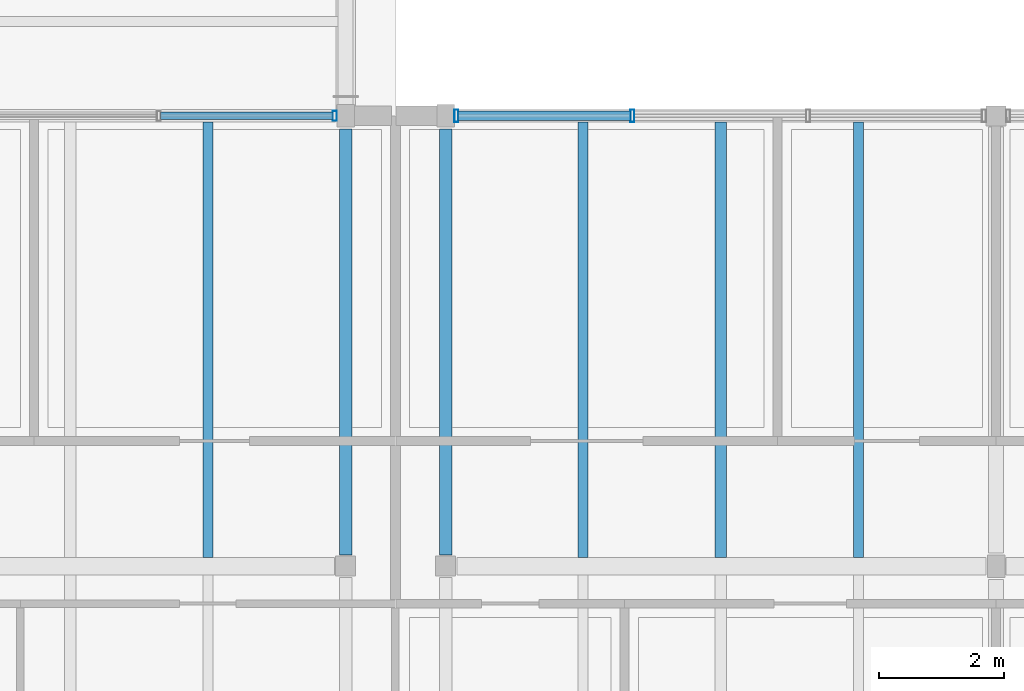
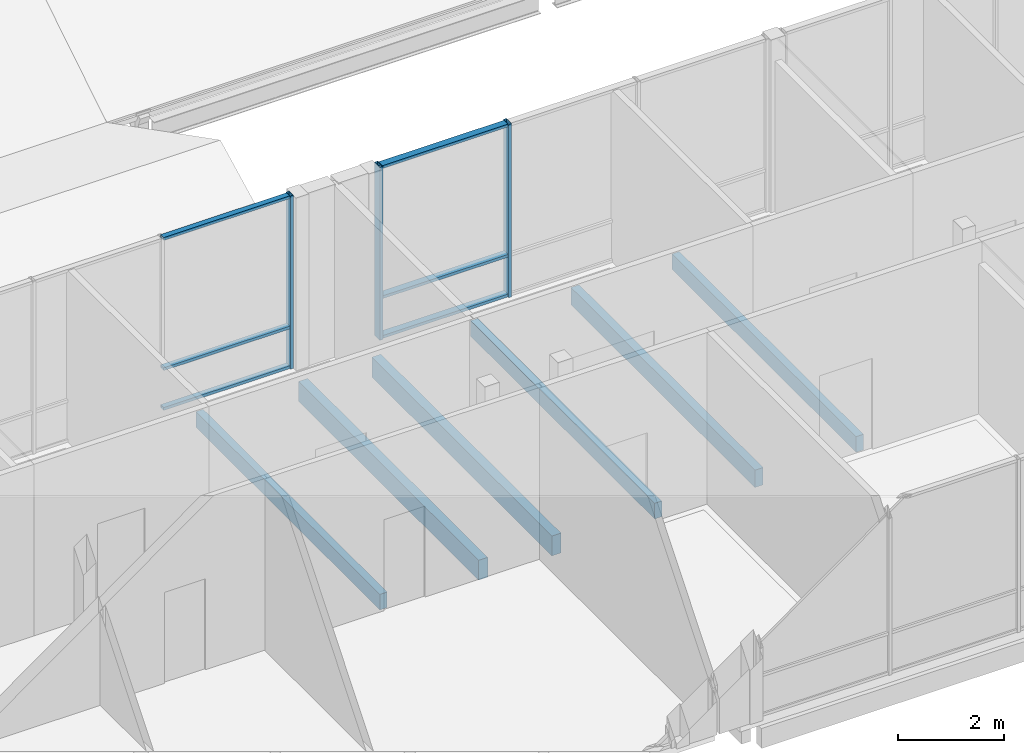
# One storey, part 34 of 115: 9 members, 6 beams, 2 elements without a shape of their own.
"""IFC4 building model written with IfcOpenShell, lengths in metres."""

import ifcopenshell
import ifcopenshell.guid

model = None  # the IFC model being written
_history = None  # IfcOwnerHistory: only IFC2X3 demands one
_inside = {}  # id of a spatial element -> (the spatial element, [elements in it])
_under = {}  # id of a project, library or spatial element -> (it, [spatial elements below it])
_declared = {}  # id of a project -> (the project, [libraries it declares])
_typed = {}  # id of a type object -> (the type object, [elements of that type])
_made_of = {}  # id of a material, layer set ... -> (it, [elements and type objects made of it])


def new_model(schema):
    """Start an empty IFC model of exactly this schema.

    Asked for "IFC4X3", IfcOpenShell would pick the latest addendum, in which some entities
    have other attributes; the version numbers below select the first issue.
    IFC2X3 requires an IfcOwnerHistory on every rooted entity: one is made here for all.
    """
    global model, _history
    if schema == "IFC4X3":
        model = ifcopenshell.file(schema_version=(4, 3, 0, 0))
    else:
        model = ifcopenshell.file(schema=schema)
    _inside.clear()
    _under.clear()
    _declared.clear()
    _typed.clear()
    _made_of.clear()
    _history = None
    if model.schema == "IFC2X3":
        org = make("IfcOrganization", Name="unknown")
        user = make(
            "IfcPersonAndOrganization",
            ThePerson=make("IfcPerson", FamilyName="unknown"),
            TheOrganization=org,
        )
        app = make(
            "IfcApplication",
            ApplicationDeveloper=org,
            Version="unknown",
            ApplicationFullName="unknown",
            ApplicationIdentifier="unknown",
        )
        _history = make(
            "IfcOwnerHistory",
            OwningUser=user,
            OwningApplication=app,
            ChangeAction="ADDED",
            CreationDate=0,
        )
    return model


def make(cls, **values):
    """One entity of the class cls with the attributes given. An attribute that is None is left unset."""
    return model.create_entity(
        cls, **{name: value for name, value in values.items() if value is not None}
    )


def rooted(cls, **values):
    """An entity with a GlobalId (a new one), such as an element, a storey or a relation."""
    return make(cls, GlobalId=ifcopenshell.guid.new(), OwnerHistory=_history, **values)


def si_unit(unit_type, name, prefix=None):
    """IfcSIUnit, for example si_unit("LENGTHUNIT", "METRE", prefix="MILLI")."""
    return make("IfcSIUnit", UnitType=unit_type, Prefix=prefix, Name=name)


def assignment(units):
    """IfcUnitAssignment: the units of a project."""
    return None if units is None else make("IfcUnitAssignment", Units=units)


def point(xyz):
    """IfcCartesianPoint."""
    return None if xyz is None else make("IfcCartesianPoint", Coordinates=xyz)


def direction(xyz):
    """IfcDirection."""
    return None if xyz is None else make("IfcDirection", DirectionRatios=xyz)


def frame(location, z_axis=None, x_axis=None):
    """IfcAxis2Placement3D, a coordinate frame: its origin and axes. An axis left out is left unset."""
    return make(
        "IfcAxis2Placement3D",
        Location=point(location),
        Axis=direction(z_axis),
        RefDirection=direction(x_axis),
    )


def frame_2d(location, x_axis=None):
    """IfcAxis2Placement2D, a coordinate frame in the plane: its origin and x axis."""
    return make(
        "IfcAxis2Placement2D", Location=point(location), RefDirection=direction(x_axis)
    )


def origin():
    """The frame at (0, 0, 0) with its axes left unset."""
    return frame((0.0, 0.0, 0.0))


def origin_2d():
    """The frame at (0, 0) in the plane with its x axis left unset."""
    return frame_2d((0.0, 0.0))


def place(relative_to, where):
    """IfcLocalPlacement: puts the frame where relative to a parent placement (None: the world)."""
    return make(
        "IfcLocalPlacement", PlacementRelTo=relative_to, RelativePlacement=where
    )


def context(
    kind, dimensions, precision=None, world=None, true_north=None, identifier=None
):
    """IfcGeometricRepresentationContext, for example the 3D "Model" context."""
    return make(
        "IfcGeometricRepresentationContext",
        ContextIdentifier=identifier,
        ContextType=kind,
        CoordinateSpaceDimension=dimensions,
        Precision=precision,
        WorldCoordinateSystem=world,
        TrueNorth=true_north,
    )


def subcontext(parent, identifier, kind, view, scale=None):
    """IfcGeometricRepresentationSubContext, for example "Body" below "Model"."""
    return make(
        "IfcGeometricRepresentationSubContext",
        ContextIdentifier=identifier,
        ContextType=kind,
        ParentContext=parent,
        TargetScale=scale,
        TargetView=view,
    )


def project(units=None, contexts=None):
    """IfcProject with its units and contexts."""
    return rooted(
        "IfcProject",
        Name="project",
        RepresentationContexts=contexts,
        UnitsInContext=assignment(units),
    )


def spatial(cls, under=None, at=None, **own):
    """A site, building, storey or space (cls), placed at a placement, below another one or the project."""
    s = rooted(cls, ObjectPlacement=at, **own)
    if under is not None:
        _under.setdefault(under.id(), (under, []))[1].append(s)
    return s


def profile(cls, at=None, kind="AREA", **sizes):
    """A parametric profile (cls). Its sizes go by their IFC names, for example OverallWidth=200.0."""
    return make(cls, ProfileType=kind, Position=at, **sizes)


def rectangle(**sizes):
    """IfcRectangleProfileDef."""
    return profile("IfcRectangleProfileDef", **sizes)


def hollow_rectangle(**sizes):
    """IfcRectangleHollowProfileDef."""
    return profile("IfcRectangleHollowProfileDef", **sizes)


def extrude(swept, where, along, depth):
    """IfcExtrudedAreaSolid: the profile swept, set in the frame where, extruded along a direction by depth."""
    return make(
        "IfcExtrudedAreaSolid",
        SweptArea=swept,
        Position=where,
        ExtrudedDirection=direction(along),
        Depth=depth,
    )


def shape(context_of_items, identifier, shape_type, items):
    """IfcShapeRepresentation: the items that make up one representation, for example the "Body"."""
    return make(
        "IfcShapeRepresentation",
        ContextOfItems=context_of_items,
        RepresentationIdentifier=identifier,
        RepresentationType=shape_type,
        Items=items,
    )


def material(Name=None, Category=None):
    """IfcMaterial."""
    return make("IfcMaterial", Name=Name, Category=Category)


def material_profile(
    of_material, cross_section, Name=None, Category=None, Priority=None
):
    """IfcMaterialProfile: a cross section and its material."""
    return make(
        "IfcMaterialProfile",
        Name=Name,
        Material=of_material,
        Profile=cross_section,
        Priority=Priority,
        Category=Category,
    )


def profile_set(profiles, Name=None, composite=None):
    """IfcMaterialProfileSet."""
    return make(
        "IfcMaterialProfileSet",
        Name=Name,
        MaterialProfiles=profiles,
        CompositeProfile=composite,
    )


def made_of(thing, what):
    """Note that an element or type object is made of a material, layer set ...; save() writes the relation."""
    if what is not None:
        _made_of.setdefault(what.id(), (what, []))[1].append(thing)
    return thing


def type_object(cls, material=None, **own):
    """A type object (cls), such as IfcWallType, which elements share."""
    return made_of(rooted(cls, **own), material)


def element(
    cls,
    number,
    at=None,
    inside=None,
    cuts=None,
    type_object=None,
    material=None,
    context=None,
    identifier="Body",
    shape_type=None,
    held_by="IfcProductDefinitionShape",
    body=None,
    shapes=None,
    **own,
):
    """One element of the class cls, such as IfcWall. Its Tag is "e" and its number.

    at: its placement. inside: the storey or other place that contains it. cuts: it is an
    opening in that element (IfcRelVoidsElement). A single representation is given by context,
    identifier, shape_type and body (its items); several are given by shapes. held_by: the class
    of the entity that holds the representations. save() writes the other relations.
    """
    e = rooted(cls, Tag="e%d" % number, ObjectPlacement=at, **own)
    if body is not None:
        shapes = [shape(context, identifier, shape_type, body)]
    if shapes is not None:
        e.Representation = make(held_by, Representations=shapes)
    if inside is not None:
        _inside.setdefault(inside.id(), (inside, []))[1].append(e)
    if cuts is not None:
        rooted(
            "IfcRelVoidsElement", RelatingBuildingElement=cuts, RelatedOpeningElement=e
        )
    if type_object is not None:
        _typed.setdefault(type_object.id(), (type_object, []))[1].append(e)
    return made_of(e, material)


def aggregate(whole, parts):
    """IfcRelAggregates: a whole, such as a stair, and the parts it consists of."""
    return rooted("IfcRelAggregates", RelatingObject=whole, RelatedObjects=parts)


def save(model, path):
    """Write the relations noted so far, then the file.

    IfcRelAggregates (storeys below a building ...), IfcRelContainedInSpatialStructure (elements
    in a storey), IfcRelDefinesByType, IfcRelAssociatesMaterial and IfcRelDeclares: one each for
    every whole, place, type object, material and project.
    """
    for whole, parts in _under.values():
        aggregate(whole, parts)
    for where, things in _inside.values():
        rooted(
            "IfcRelContainedInSpatialStructure",
            RelatedElements=things,
            RelatingStructure=where,
        )
    for kind, things in _typed.values():
        rooted("IfcRelDefinesByType", RelatedObjects=things, RelatingType=kind)
    for what, things in _made_of.values():
        rooted("IfcRelAssociatesMaterial", RelatedObjects=things, RelatingMaterial=what)
    for by, libraries in _declared.values():
        rooted("IfcRelDeclares", RelatingContext=by, RelatedDefinitions=libraries)
    model.write(path)


model = new_model("IFC4")

# Units and contexts
model_context = context("Model", 3, precision=1e-05, world=origin(), true_north=direction((0.0, 1.0)))
body_context = subcontext(model_context, "Body", "Model", "MODEL_VIEW")
ifc_project = project(units=[si_unit("LENGTHUNIT", "METRE"), si_unit("AREAUNIT", "SQUARE_METRE"), si_unit("VOLUMEUNIT", "CUBIC_METRE"), si_unit("PLANEANGLEUNIT", "RADIAN"), si_unit("MASSUNIT", "GRAM", prefix="KILO")], contexts=[model_context])

# Site, building, storey
site_placement = place(None, origin())
site = spatial("IfcSite", under=ifc_project, at=site_placement, CompositionType="ELEMENT")
building_placement = place(site_placement, origin())
building = spatial("IfcBuilding", under=site, at=building_placement, Name="Hawrajan Terrace Health Centre", CompositionType="ELEMENT")
storey_placement = place(building_placement, frame((0.0, 0.0, 9.0)))
storey = spatial("IfcBuildingStorey", under=building, at=storey_placement, Name="L02", CompositionType="ELEMENT", Elevation=9.0)

# Curtain wall, member
ifc_material_1 = material(Name="Anodized bronze aluminium and low-E solar glazing", Category="aluminium")
curtain_wall_type_1 = type_object("IfcCurtainWallType", Name="CW_Garden_SeriesF2", PredefinedType="USERDEFINED", material=ifc_material_1)
curtain_wall_1_placement = place(storey_placement, origin())
curtain_wall_1 = element("IfcCurtainWall", 1, at=curtain_wall_1_placement, inside=storey, type_object=curtain_wall_type_1, Name="Curtain wall CW-L02-135", ObjectType="UNITISED CURTAIN WALL", PredefinedType="USERDEFINED")
ifc_material_2 = material(Name="Anodized bronze aluminium 6063-T6", Category="aluminium")
ifc_material_profile_1 = material_profile(ifc_material_2, hollow_rectangle(XDim=0.06494140625, YDim=0.159912109375, WallThickness=0.00390625, at=origin_2d()), Name="CW MUL 65x160")
ifc_profile_set_1 = profile_set([ifc_material_profile_1], Name="Anodized bronze aluminium 6063-T6")
member_type_1 = type_object("IfcMemberType", Name="CWMullion_65x160", PredefinedType="MULLION", material=ifc_profile_set_1)
member_1_placement = place(storey_placement, frame((70.827392578125, 18.60009765625, -0.0048828125), z_axis=(0.0, 0.0, 1.0), x_axis=(1.0, 0.0, 0.0)))
member_1 = element("IfcMember", 2, at=member_1_placement, type_object=member_type_1, Name="Mullion CW-L02-135-M4", PredefinedType="MULLION", context=body_context, shape_type="SweptSolid", body=[
    extrude(hollow_rectangle(XDim=0.06494140625, YDim=0.159912109375, WallThickness=0.00390625, at=origin_2d()), origin(), (0.0, 0.0, 1.0), 4.0),
])

# Curtain wall, members
curtain_wall_type_2 = type_object("IfcCurtainWallType", Name="CW_Vestibule_SeriesH1", PredefinedType="USERDEFINED", material=ifc_material_1)
curtain_wall_2_placement = place(storey_placement, origin())
curtain_wall_2 = element("IfcCurtainWall", 3, at=curtain_wall_2_placement, inside=storey, type_object=curtain_wall_type_2, Name="Curtain wall CW-L02-139", ObjectType="UNITISED CURTAIN WALL", PredefinedType="USERDEFINED")
ifc_material_profile_2 = material_profile(ifc_material_2, hollow_rectangle(XDim=0.06494140625, YDim=0.199951171875, WallThickness=0.00439453125, at=origin_2d()), Name="CW MUL 65x200")
ifc_profile_set_2 = profile_set([ifc_material_profile_2], Name="Anodized bronze aluminium 6063-T6")
member_type_2 = type_object("IfcMemberType", Name="CWMullion_65x200", PredefinedType="MULLION", material=ifc_profile_set_2)
member_2_placement = place(storey_placement, frame((72.7724609375, 18.60009765625, -0.0048828125), z_axis=(0.0, 0.0, 1.0), x_axis=(1.0, 0.0, 0.0)))
member_2 = element("IfcMember", 4, at=member_2_placement, type_object=member_type_2, Name="Mullion CW-L02-139-M1", PredefinedType="MULLION", context=body_context, shape_type="SweptSolid", body=[
    extrude(hollow_rectangle(XDim=0.06494140625, YDim=0.199951171875, WallThickness=0.00439453125, at=origin_2d()), origin(), (0.0, 0.0, 1.0), 4.0),
])
member_3_placement = place(storey_placement, frame((75.584228515625, 18.60009765625, -0.0048828125), z_axis=(0.0, 0.0, 1.0), x_axis=(1.0, 0.0, 0.0)))
member_3 = element("IfcMember", 5, at=member_3_placement, type_object=member_type_2, Name="Mullion CW-L02-139-M2", PredefinedType="MULLION", context=body_context, shape_type="SweptSolid", body=[
    extrude(hollow_rectangle(XDim=0.06494140625, YDim=0.199951171875, WallThickness=0.00439453125, at=origin_2d()), origin(), (0.0, 0.0, 1.0), 4.0),
])

# Member
ifc_material_profile_3 = material_profile(ifc_material_2, hollow_rectangle(XDim=0.06494140625, YDim=0.1201171875, WallThickness=0.00341796875, at=origin_2d()), Name="CW TRN 65x120")
ifc_profile_set_3 = profile_set([ifc_material_profile_3], Name="Anodized bronze aluminium 6063-T6")
member_type_3 = type_object("IfcMemberType", Name="CWTransom_65x120", PredefinedType="USERDEFINED", material=ifc_profile_set_3)
member_4_placement = place(storey_placement, frame((68.042236328125, 18.60009765625, 0.032470703125), z_axis=(1.0, 0.0, 0.0), x_axis=(0.0, 0.0, 1.0)))
member_4 = element("IfcMember", 6, at=member_4_placement, type_object=member_type_3, Name="Transom CW-L02-135-T3-1", ObjectType="TRANSOM", PredefinedType="USERDEFINED", context=body_context, shape_type="SweptSolid", body=[
    extrude(hollow_rectangle(XDim=0.06494140625, YDim=0.1201171875, WallThickness=0.00341796875, at=origin_2d()), origin(), (0.0, 0.0, 1.0), 2.7587890625),
])

member_5_placement = place(storey_placement, frame((68.042236328125, 18.60009765625, 0.949951171875), z_axis=(1.0, 0.0, 0.0), x_axis=(0.0, 0.0, 1.0)))
member_5 = element("IfcMember", 7, at=member_5_placement, type_object=member_type_3, Name="Transom CW-L02-135-T3-2", ObjectType="TRANSOM", PredefinedType="USERDEFINED", context=body_context, shape_type="SweptSolid", body=[
    extrude(hollow_rectangle(XDim=0.06494140625, YDim=0.1201171875, WallThickness=0.00341796875, at=origin_2d()), origin(), (0.0, 0.0, 1.0), 2.7587890625),
])

member_6_placement = place(storey_placement, frame((68.042236328125, 18.60009765625, 3.95751953125), z_axis=(1.0, 0.0, 0.0), x_axis=(0.0, 0.0, 1.0)))
member_6 = element("IfcMember", 8, at=member_6_placement, type_object=member_type_3, Name="Transom CW-L02-135-T3-3", ObjectType="TRANSOM", PredefinedType="USERDEFINED", context=body_context, shape_type="SweptSolid", body=[
    extrude(hollow_rectangle(XDim=0.06494140625, YDim=0.1201171875, WallThickness=0.00341796875, at=origin_2d()), origin(), (0.0, 0.0, 1.0), 2.7587890625),
])

aggregate(curtain_wall_1, [member_1, member_4, member_5, member_6])

ifc_material_profile_4 = material_profile(ifc_material_2, hollow_rectangle(XDim=0.06494140625, YDim=0.14990234375, WallThickness=0.00390625, at=origin_2d()), Name="CW TRN 65x150")
ifc_profile_set_4 = profile_set([ifc_material_profile_4], Name="Anodized bronze aluminium 6063-T6")
member_type_4 = type_object("IfcMemberType", Name="CWTransom_65x150", PredefinedType="USERDEFINED", material=ifc_profile_set_4)
member_7_placement = place(storey_placement, frame((72.799072265625, 18.60009765625, 0.032470703125), z_axis=(1.0, 0.0, 0.0), x_axis=(0.0, 0.0, 1.0)))
member_7 = element("IfcMember", 9, at=member_7_placement, type_object=member_type_4, Name="Transom CW-L02-139-T1-1", ObjectType="TRANSOM", PredefinedType="USERDEFINED", context=body_context, shape_type="SweptSolid", body=[
    extrude(hollow_rectangle(XDim=0.06494140625, YDim=0.14990234375, WallThickness=0.00390625, at=origin_2d()), origin(), (0.0, 0.0, 1.0), 2.758544921875),
])

member_8_placement = place(storey_placement, frame((72.799072265625, 18.60009765625, 0.949951171875), z_axis=(1.0, 0.0, 0.0), x_axis=(0.0, 0.0, 1.0)))
member_8 = element("IfcMember", 10, at=member_8_placement, type_object=member_type_4, Name="Transom CW-L02-139-T1-2", ObjectType="TRANSOM", PredefinedType="USERDEFINED", context=body_context, shape_type="SweptSolid", body=[
    extrude(hollow_rectangle(XDim=0.06494140625, YDim=0.14990234375, WallThickness=0.00390625, at=origin_2d()), origin(), (0.0, 0.0, 1.0), 2.758544921875),
])

member_9_placement = place(storey_placement, frame((72.799072265625, 18.60009765625, 3.95751953125), z_axis=(1.0, 0.0, 0.0), x_axis=(0.0, 0.0, 1.0)))
member_9 = element("IfcMember", 11, at=member_9_placement, type_object=member_type_4, Name="Transom CW-L02-139-T1-3", ObjectType="TRANSOM", PredefinedType="USERDEFINED", context=body_context, shape_type="SweptSolid", body=[
    extrude(hollow_rectangle(XDim=0.06494140625, YDim=0.14990234375, WallThickness=0.00390625, at=origin_2d()), origin(), (0.0, 0.0, 1.0), 2.758544921875),
])

aggregate(curtain_wall_2, [member_2, member_3, member_7, member_8, member_9])

# Beams
ifc_material_3 = material(Name="Glulam GL28h", Category="wood")
ifc_material_profile_5 = material_profile(ifc_material_3, rectangle(XDim=0.159912109375, YDim=0.360107421875, at=origin_2d()), Name="GL JST 160x360")
ifc_profile_set_5 = profile_set([ifc_material_profile_5], Name="Glulam GL28h")
beam_type_1 = type_object("IfcBeamType", Name="GlulamJoist_160x360", PredefinedType="JOIST", material=ifc_profile_set_5)
for number, where, z_axis, x_axis, name in (
    (12, (68.800048828125, 11.5400390625, -0.419921875), (0.0, 1.0, 0.0), (-1.0, 0.0, 0.0), "Secondary joist JST-L02-W-09-2-3"),
    (13, (74.800048828125, 11.5400390625, -0.419921875), (0.0, 1.0, 0.0), (-1.0, 0.0, 0.0), "Secondary joist JST-L02-C-10-2-1"),
    (14, (79.199951171875, 11.5400390625, -0.419921875), (0.0, 1.0, 0.0), (-1.0, 0.0, 0.0), "Secondary joist JST-L02-C-10-2-3"),
):
    element("IfcBeam", number, at=place(storey_placement, frame(where, z_axis=z_axis, x_axis=x_axis)), inside=storey, type_object=beam_type_1, Name=name, PredefinedType="JOIST", context=body_context, shape_type="SweptSolid", body=[
        extrude(rectangle(XDim=0.159912109375, YDim=0.360107421875, at=origin_2d()), origin(), (0.0, 0.0, 1.0), 6.9599609375),
    ])
ifc_material_profile_6 = material_profile(ifc_material_3, rectangle(XDim=0.179931640625, YDim=0.39990234375, at=origin_2d()), Name="GL JST 180x400")
ifc_profile_set_6 = profile_set([ifc_material_profile_6], Name="Glulam GL28h")
beam_type_2 = type_object("IfcBeamType", Name="GlulamJoist_180x400", PredefinedType="JOIST", material=ifc_profile_set_6)
beam_placement = place(storey_placement, frame((77.0, 11.5400390625, -0.43994140625), z_axis=(0.0, 1.0, 0.0), x_axis=(-1.0, 0.0, 0.0)))
element("IfcBeam", 15, at=beam_placement, inside=storey, type_object=beam_type_2, Name="Secondary joist JST-L02-C-10-2-2", PredefinedType="JOIST", context=body_context, shape_type="SweptSolid", body=[
    extrude(rectangle(XDim=0.179931640625, YDim=0.39990234375, at=origin_2d()), origin(), (0.0, 0.0, 1.0), 6.9599609375),
])
ifc_material_4 = material(Name="Glulam GL32h", Category="wood")
ifc_material_profile_7 = material_profile(ifc_material_4, rectangle(XDim=0.199951171875, YDim=0.4599609375, at=origin_2d()), Name="GL SP 200x460")
ifc_profile_set_7 = profile_set([ifc_material_profile_7], Name="Glulam GL32h")
beam_type_3 = type_object("IfcBeamType", Name="GlulamSpandrel_200x460", PredefinedType="SPANDREL", material=ifc_profile_set_7)
for number, where, z_axis, x_axis, name in (
    (16, (71.0, 11.580078125, -0.469970703125), (0.0, 1.0, 0.0), (-1.0, 0.0, 0.0), "Beam BM-Y-L02-W-X10-2"),
    (17, (72.60009765625, 11.580078125, -0.469970703125), (0.0, 1.0, 0.0), (-1.0, 0.0, 0.0), "Beam BM-Y-L02-C-X10-2"),
):
    element("IfcBeam", number, at=place(storey_placement, frame(where, z_axis=z_axis, x_axis=x_axis)), inside=storey, type_object=beam_type_3, Name=name, PredefinedType="SPANDREL", context=body_context, shape_type="SweptSolid", body=[
        extrude(rectangle(XDim=0.199951171875, YDim=0.4599609375, at=origin_2d()), origin(), (0.0, 0.0, 1.0), 6.809814453125),
    ])

save(model, "model.ifc")
